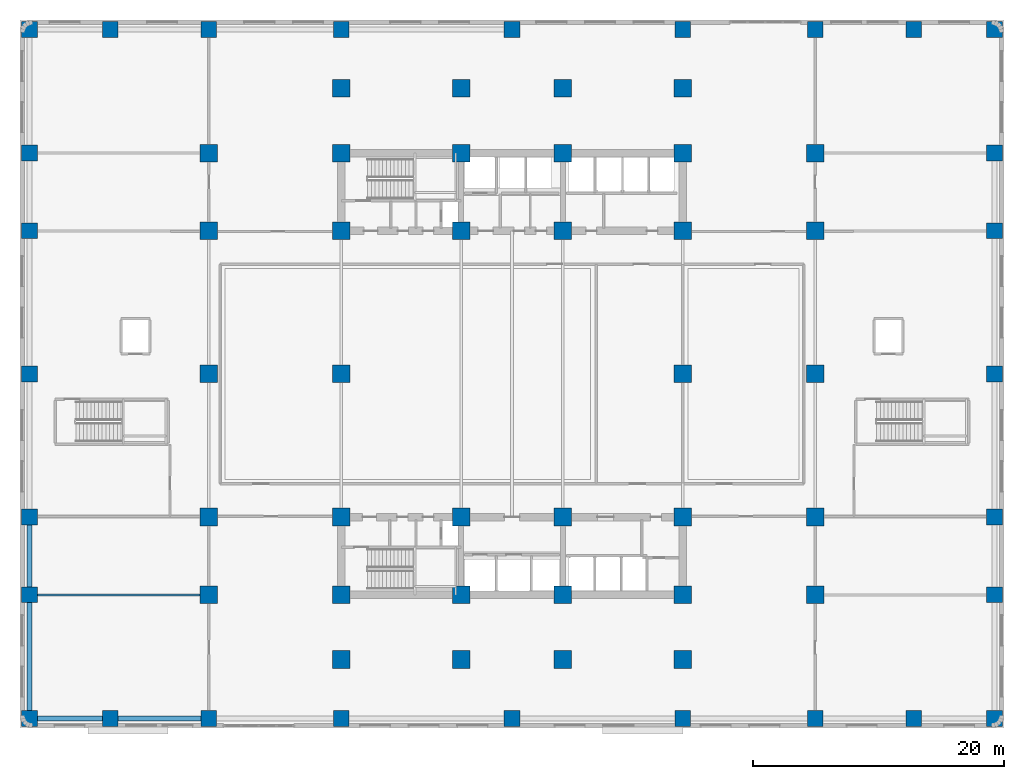
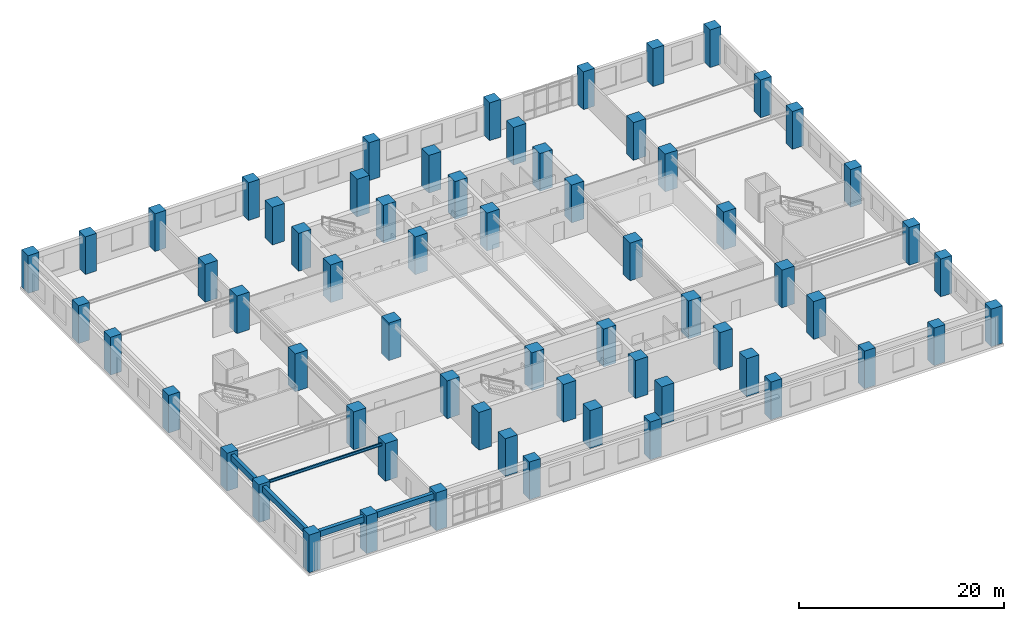
# One storey, part 1 of 14: 64 columns, 5 beams.
"""IFC4 building model written with IfcOpenShell, lengths in metres."""

from ifc_helpers import new_model, si_unit, direction, frame, origin, origin_2d, place, context, subcontext, project, spatial, rectangle, i_section, extrude, material, material_profile, profile_set, type_object, element, save


model = new_model("IFC4")

# Units and contexts
model_context = context("Model", 3, precision=1e-05, world=origin(), true_north=direction((0.0, 1.0)))
body_context = subcontext(model_context, "Body", "Model", "MODEL_VIEW")
ifc_project = project(units=[si_unit("LENGTHUNIT", "METRE"), si_unit("AREAUNIT", "SQUARE_METRE"), si_unit("VOLUMEUNIT", "CUBIC_METRE"), si_unit("PLANEANGLEUNIT", "RADIAN"), si_unit("MASSUNIT", "GRAM", prefix="KILO")], contexts=[model_context])

# Site, building, storey
site_placement = place(None, origin())
site = spatial("IfcSite", under=ifc_project, at=site_placement, CompositionType="ELEMENT")
building_placement = place(site_placement, origin())
building = spatial("IfcBuilding", under=site, at=building_placement, Name="Svetorya Sky Lyceum", CompositionType="ELEMENT")
storey_placement = place(building_placement, frame((0.0, 0.0, 15.60009765625)))
storey = spatial("IfcBuildingStorey", under=building, at=storey_placement, Name="L03", CompositionType="ELEMENT", Elevation=15.60009765625)

# Columns
ifc_material_1 = material(Name="Concrete C60/75", Category="concrete")
ifc_material_profile_1 = material_profile(ifc_material_1, rectangle(XDim=1.25, YDim=1.25, at=origin_2d()), Name="RC COL 1250x1250")
ifc_profile_set_1 = profile_set([ifc_material_profile_1], Name="Concrete C60/75")
column_type_1 = type_object("IfcColumnType", Name="COL-RC-1250", PredefinedType="COLUMN", material=ifc_profile_set_1)
for number, where, z_axis, x_axis, name in (
    (1, (0.75, 0.75, 0.0), (0.0, 0.0, 1.0), (1.0, 0.0, 0.0), "L03 Podium Column PC-0101"),
    (2, (0.75, 10.60009765625, 0.0), (0.0, 0.0, 1.0), (1.0, 0.0, 0.0), "L03 Podium Column PC-0102"),
    (3, (0.75, 16.800048828125, 0.0), (0.0, 0.0, 1.0), (1.0, 0.0, 0.0), "L03 Podium Column PC-0103"),
    (4, (0.75, 28.199951171875, 0.0), (0.0, 0.0, 1.0), (1.0, 0.0, 0.0), "L03 Podium Column PC-0104"),
    (5, (0.75, 39.60009765625, 0.0), (0.0, 0.0, 1.0), (1.0, 0.0, 0.0), "L03 Podium Column PC-0105"),
    (6, (0.75, 45.800048828125, 0.0), (0.0, 0.0, 1.0), (1.0, 0.0, 0.0), "L03 Podium Column PC-0106"),
    (7, (0.75, 55.64990234375, 0.0), (0.0, 0.0, 1.0), (1.0, 0.0, 0.0), "L03 Podium Column PC-0107"),
    (8, (7.199951171875, 0.75, 0.0), (0.0, 0.0, 1.0), (1.0, 0.0, 0.0), "L03 Podium Column PC-0201"),
    (9, (7.199951171875, 55.64990234375, 0.0), (0.0, 0.0, 1.0), (1.0, 0.0, 0.0), "L03 Podium Column PC-0207"),
    (10, (15.050048828125, 0.75, 0.0), (0.0, 0.0, 1.0), (1.0, 0.0, 0.0), "L03 Podium Column PC-0301"),
    (11, (15.050048828125, 55.64990234375, 0.0), (0.0, 0.0, 1.0), (1.0, 0.0, 0.0), "L03 Podium Column PC-0307"),
    (12, (25.60009765625, 0.75, 0.0), (0.0, 0.0, 1.0), (1.0, 0.0, 0.0), "L03 Podium Column PC-0401"),
    (13, (25.60009765625, 55.64990234375, 0.0), (0.0, 0.0, 1.0), (1.0, 0.0, 0.0), "L03 Podium Column PC-0407"),
    (14, (39.199951171875, 0.75, 0.0), (0.0, 0.0, 1.0), (1.0, 0.0, 0.0), "L03 Podium Column PC-0501"),
    (15, (39.199951171875, 55.64990234375, 0.0), (0.0, 0.0, 1.0), (1.0, 0.0, 0.0), "L03 Podium Column PC-0507"),
    (16, (52.800048828125, 0.75, 0.0), (0.0, 0.0, 1.0), (1.0, 0.0, 0.0), "L03 Podium Column PC-0601"),
    (17, (52.800048828125, 55.64990234375, 0.0), (0.0, 0.0, 1.0), (1.0, 0.0, 0.0), "L03 Podium Column PC-0607"),
    (18, (63.35009765625, 0.75, 0.0), (0.0, 0.0, 1.0), (1.0, 0.0, 0.0), "L03 Podium Column PC-0701"),
    (19, (63.35009765625, 55.64990234375, 0.0), (0.0, 0.0, 1.0), (1.0, 0.0, 0.0), "L03 Podium Column PC-0707"),
    (20, (71.199951171875, 0.75, 0.0), (0.0, 0.0, 1.0), (1.0, 0.0, 0.0), "L03 Podium Column PC-0801"),
    (21, (71.199951171875, 55.64990234375, 0.0), (0.0, 0.0, 1.0), (1.0, 0.0, 0.0), "L03 Podium Column PC-0807"),
    (22, (77.64990234375, 0.75, 0.0), (0.0, 0.0, 1.0), (1.0, 0.0, 0.0), "L03 Podium Column PC-0901"),
    (23, (77.64990234375, 10.60009765625, 0.0), (0.0, 0.0, 1.0), (1.0, 0.0, 0.0), "L03 Podium Column PC-0902"),
    (24, (77.64990234375, 16.800048828125, 0.0), (0.0, 0.0, 1.0), (1.0, 0.0, 0.0), "L03 Podium Column PC-0903"),
    (25, (77.64990234375, 28.199951171875, 0.0), (0.0, 0.0, 1.0), (1.0, 0.0, 0.0), "L03 Podium Column PC-0904"),
    (26, (77.64990234375, 39.60009765625, 0.0), (0.0, 0.0, 1.0), (1.0, 0.0, 0.0), "L03 Podium Column PC-0905"),
    (27, (77.64990234375, 45.800048828125, 0.0), (0.0, 0.0, 1.0), (1.0, 0.0, 0.0), "L03 Podium Column PC-0906"),
    (28, (77.64990234375, 55.64990234375, 0.0), (0.0, 0.0, 1.0), (1.0, 0.0, 0.0), "L03 Podium Column PC-0907"),
):
    element("IfcColumn", number, at=place(storey_placement, frame(where, z_axis=z_axis, x_axis=x_axis)), inside=storey, type_object=column_type_1, Name=name, PredefinedType="COLUMN", context=body_context, shape_type="SweptSolid", body=[
        extrude(rectangle(XDim=1.25, YDim=1.25, at=origin_2d()), origin(), (0.0, 0.0, 1.0), 4.5),
    ])
ifc_material_profile_2 = material_profile(ifc_material_1, rectangle(XDim=1.39990234375, YDim=1.39990234375, at=origin_2d()), Name="RC COL 1400x1400")
ifc_profile_set_2 = profile_set([ifc_material_profile_2], Name="Concrete C60/75")
column_type_2 = type_object("IfcColumnType", Name="COL-RC-1400", PredefinedType="COLUMN", material=ifc_profile_set_2)
for number, where, z_axis, x_axis, name in (
    (29, (25.60009765625, 10.60009765625, 0.0), (0.0, 0.0, 1.0), (1.0, 0.0, 0.0), "L03 Core Column CS-11"),
    (30, (25.60009765625, 16.800048828125, 0.0), (0.0, 0.0, 1.0), (1.0, 0.0, 0.0), "L03 Core Column CS-12"),
    (31, (35.14990234375, 10.60009765625, 0.0), (0.0, 0.0, 1.0), (1.0, 0.0, 0.0), "L03 Core Column CS-21"),
    (32, (35.14990234375, 16.800048828125, 0.0), (0.0, 0.0, 1.0), (1.0, 0.0, 0.0), "L03 Core Column CS-22"),
    (33, (43.25, 10.60009765625, 0.0), (0.0, 0.0, 1.0), (1.0, 0.0, 0.0), "L03 Core Column CS-31"),
    (34, (43.25, 16.800048828125, 0.0), (0.0, 0.0, 1.0), (1.0, 0.0, 0.0), "L03 Core Column CS-32"),
    (35, (52.800048828125, 10.60009765625, 0.0), (0.0, 0.0, 1.0), (1.0, 0.0, 0.0), "L03 Core Column CS-41"),
    (36, (52.800048828125, 16.800048828125, 0.0), (0.0, 0.0, 1.0), (1.0, 0.0, 0.0), "L03 Core Column CS-42"),
    (37, (25.60009765625, 39.60009765625, 0.0), (0.0, 0.0, 1.0), (1.0, 0.0, 0.0), "L03 Core Column CN-11"),
    (38, (25.60009765625, 45.800048828125, 0.0), (0.0, 0.0, 1.0), (1.0, 0.0, 0.0), "L03 Core Column CN-12"),
    (39, (35.14990234375, 39.60009765625, 0.0), (0.0, 0.0, 1.0), (1.0, 0.0, 0.0), "L03 Core Column CN-21"),
    (40, (35.14990234375, 45.800048828125, 0.0), (0.0, 0.0, 1.0), (1.0, 0.0, 0.0), "L03 Core Column CN-22"),
    (41, (43.25, 39.60009765625, 0.0), (0.0, 0.0, 1.0), (1.0, 0.0, 0.0), "L03 Core Column CN-31"),
    (42, (43.25, 45.800048828125, 0.0), (0.0, 0.0, 1.0), (1.0, 0.0, 0.0), "L03 Core Column CN-32"),
    (43, (52.800048828125, 39.60009765625, 0.0), (0.0, 0.0, 1.0), (1.0, 0.0, 0.0), "L03 Core Column CN-41"),
    (44, (52.800048828125, 45.800048828125, 0.0), (0.0, 0.0, 1.0), (1.0, 0.0, 0.0), "L03 Core Column CN-42"),
    (45, (25.60009765625, 28.199951171875, 0.0), (0.0, 0.0, 1.0), (1.0, 0.0, 0.0), "L03 Core Column CM-W"),
    (46, (52.800048828125, 28.199951171875, 0.0), (0.0, 0.0, 1.0), (1.0, 0.0, 0.0), "L03 Core Column CM-E"),
    (47, (25.60009765625, 5.449951171875, 0.0), (0.0, 0.0, 1.0), (1.0, 0.0, 0.0), "L03 Podium Tower-Line Column S1"),
    (48, (25.60009765625, 50.949951171875, 0.0), (0.0, 0.0, 1.0), (1.0, 0.0, 0.0), "L03 Podium Tower-Line Column N1"),
    (49, (35.14990234375, 5.449951171875, 0.0), (0.0, 0.0, 1.0), (1.0, 0.0, 0.0), "L03 Podium Tower-Line Column S2"),
    (50, (35.14990234375, 50.949951171875, 0.0), (0.0, 0.0, 1.0), (1.0, 0.0, 0.0), "L03 Podium Tower-Line Column N2"),
    (51, (43.25, 5.449951171875, 0.0), (0.0, 0.0, 1.0), (1.0, 0.0, 0.0), "L03 Podium Tower-Line Column S3"),
    (52, (43.25, 50.949951171875, 0.0), (0.0, 0.0, 1.0), (1.0, 0.0, 0.0), "L03 Podium Tower-Line Column N3"),
    (53, (52.800048828125, 5.449951171875, 0.0), (0.0, 0.0, 1.0), (1.0, 0.0, 0.0), "L03 Podium Tower-Line Column S4"),
    (54, (52.800048828125, 50.949951171875, 0.0), (0.0, 0.0, 1.0), (1.0, 0.0, 0.0), "L03 Podium Tower-Line Column N4"),
    (55, (15.050048828125, 10.60009765625, 0.0), (0.0, 0.0, 1.0), (1.0, 0.0, 0.0), "L03 Podium Tower-Line Column W1"),
    (56, (63.35009765625, 10.60009765625, 0.0), (0.0, 0.0, 1.0), (1.0, 0.0, 0.0), "L03 Podium Tower-Line Column E1"),
    (57, (15.050048828125, 16.800048828125, 0.0), (0.0, 0.0, 1.0), (1.0, 0.0, 0.0), "L03 Podium Tower-Line Column W2"),
    (58, (63.35009765625, 16.800048828125, 0.0), (0.0, 0.0, 1.0), (1.0, 0.0, 0.0), "L03 Podium Tower-Line Column E2"),
    (59, (15.050048828125, 28.199951171875, 0.0), (0.0, 0.0, 1.0), (1.0, 0.0, 0.0), "L03 Podium Tower-Line Column W3"),
    (60, (63.35009765625, 28.199951171875, 0.0), (0.0, 0.0, 1.0), (1.0, 0.0, 0.0), "L03 Podium Tower-Line Column E3"),
    (61, (15.050048828125, 39.60009765625, 0.0), (0.0, 0.0, 1.0), (1.0, 0.0, 0.0), "L03 Podium Tower-Line Column W4"),
    (62, (63.35009765625, 39.60009765625, 0.0), (0.0, 0.0, 1.0), (1.0, 0.0, 0.0), "L03 Podium Tower-Line Column E4"),
    (63, (15.050048828125, 45.800048828125, 0.0), (0.0, 0.0, 1.0), (1.0, 0.0, 0.0), "L03 Podium Tower-Line Column W5"),
    (64, (63.35009765625, 45.800048828125, 0.0), (0.0, 0.0, 1.0), (1.0, 0.0, 0.0), "L03 Podium Tower-Line Column E5"),
):
    element("IfcColumn", number, at=place(storey_placement, frame(where, z_axis=z_axis, x_axis=x_axis)), inside=storey, type_object=column_type_2, Name=name, PredefinedType="COLUMN", context=body_context, shape_type="SweptSolid", body=[
        extrude(rectangle(XDim=1.39990234375, YDim=1.39990234375, at=origin_2d()), origin(), (0.0, 0.0, 1.0), 4.5),
    ])

# Beams
ifc_material_2 = material(Name="Concrete C50/60", Category="concrete")
ifc_material_profile_3 = material_profile(ifc_material_2, rectangle(XDim=0.39990234375, YDim=0.699951171875, at=origin_2d()), Name="RC SPANDREL 400x700")
ifc_profile_set_3 = profile_set([ifc_material_profile_3], Name="Concrete C50/60")
beam_type_1 = type_object("IfcBeamType", Name="BM-SPN-700", PredefinedType="SPANDREL", material=ifc_profile_set_3)
beam_1_placement = place(storey_placement, frame((0.75, 0.75, 3.849853515625), z_axis=(1.0, 0.0, 0.0), x_axis=(0.0, 1.0, 0.0)))
element("IfcBeam", 65, at=beam_1_placement, inside=storey, type_object=beam_type_1, Name="L03 Podium South Spandrel 1", PredefinedType="SPANDREL", context=body_context, shape_type="SweptSolid", body=[
    extrude(rectangle(XDim=0.39990234375, YDim=0.699951171875, at=origin_2d()), origin(), (0.0, 0.0, 1.0), 6.449951171875),
])
beam_2_placement = place(storey_placement, frame((7.199951171875, 0.75, 3.849853515625), z_axis=(1.0, 0.0, 0.0), x_axis=(0.0, 1.0, 0.0)))
element("IfcBeam", 66, at=beam_2_placement, inside=storey, type_object=beam_type_1, Name="L03 Podium South Spandrel 2", PredefinedType="SPANDREL", context=body_context, shape_type="SweptSolid", body=[
    extrude(rectangle(XDim=0.39990234375, YDim=0.699951171875, at=origin_2d()), origin(), (0.0, 0.0, 1.0), 7.85009765625),
])
beam_3_placement = place(storey_placement, frame((0.75, 0.75, 3.849853515625), z_axis=(0.0, 1.0, 0.0), x_axis=(-1.0, 0.0, 0.0)))
element("IfcBeam", 67, at=beam_3_placement, inside=storey, type_object=beam_type_1, Name="L03 Podium West Spandrel 1", PredefinedType="SPANDREL", context=body_context, shape_type="SweptSolid", body=[
    extrude(rectangle(XDim=0.39990234375, YDim=0.699951171875, at=origin_2d()), origin(), (0.0, 0.0, 1.0), 9.85009765625),
])
beam_4_placement = place(storey_placement, frame((0.75, 10.60009765625, 3.849853515625), z_axis=(0.0, 1.0, 0.0), x_axis=(-1.0, 0.0, 0.0)))
element("IfcBeam", 68, at=beam_4_placement, inside=storey, type_object=beam_type_1, Name="L03 Podium West Spandrel 2", PredefinedType="SPANDREL", context=body_context, shape_type="SweptSolid", body=[
    extrude(rectangle(XDim=0.39990234375, YDim=0.699951171875, at=origin_2d()), origin(), (0.0, 0.0, 1.0), 6.199951171875),
])
ifc_material_3 = material(Name="Steel S355", Category="steel")
ifc_material_profile_4 = material_profile(ifc_material_3, i_section(OverallWidth=0.155029296875, OverallDepth=0.34912109375, WebThickness=0.007080078125, FlangeThickness=0.011474609375, at=origin_2d()), Name="GOST 35B2")
ifc_profile_set_4 = profile_set([ifc_material_profile_4], Name="Steel S355")
beam_type_2 = type_object("IfcBeamType", Name="BM-STL-35B2", PredefinedType="JOIST", material=ifc_profile_set_4)
beam_5_placement = place(storey_placement, frame((0.75, 10.60009765625, 4.025390625), z_axis=(1.0, 0.0, 0.0), x_axis=(0.0, 1.0, 0.0)))
element("IfcBeam", 69, at=beam_5_placement, inside=storey, type_object=beam_type_2, Name="L03 Podium Wing Joist W1", PredefinedType="JOIST", context=body_context, shape_type="SweptSolid", body=[
    extrude(i_section(OverallWidth=0.155029296875, OverallDepth=0.34912109375, WebThickness=0.007080078125, FlangeThickness=0.011474609375, at=origin_2d()), origin(), (0.0, 0.0, 1.0), 14.300048828125),
])

save(model, "model.ifc")
